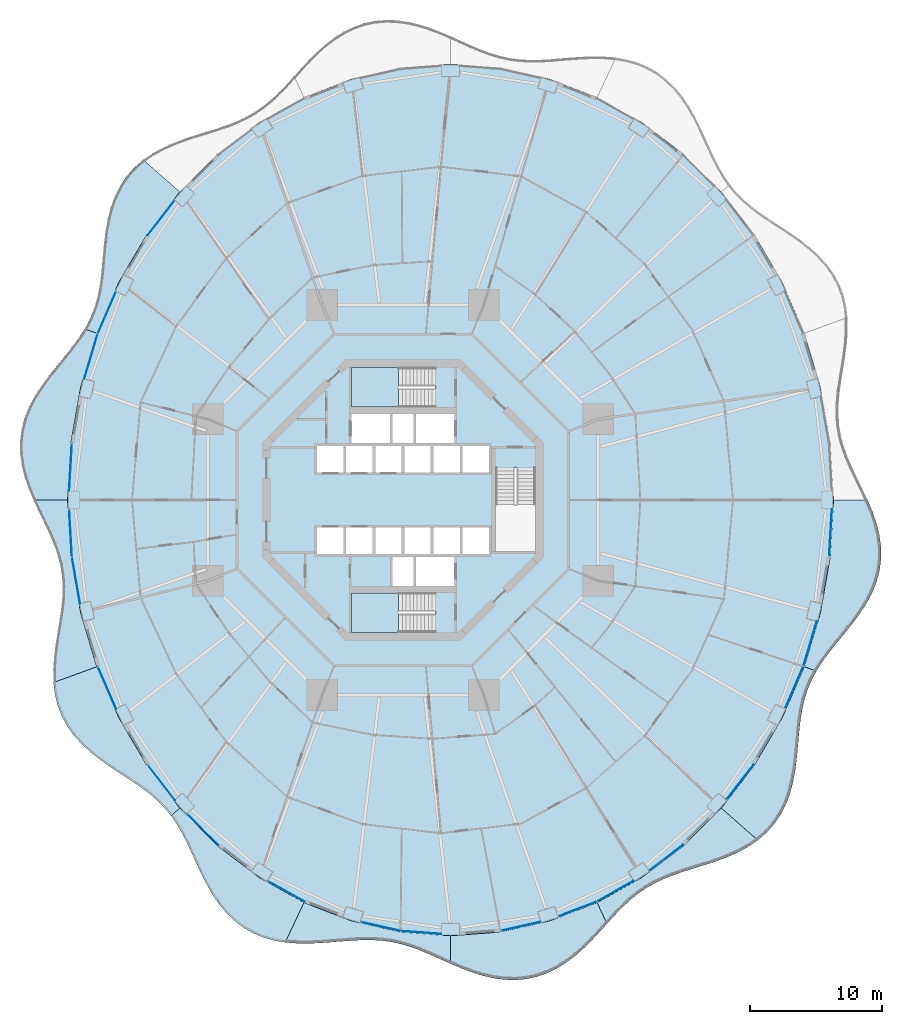
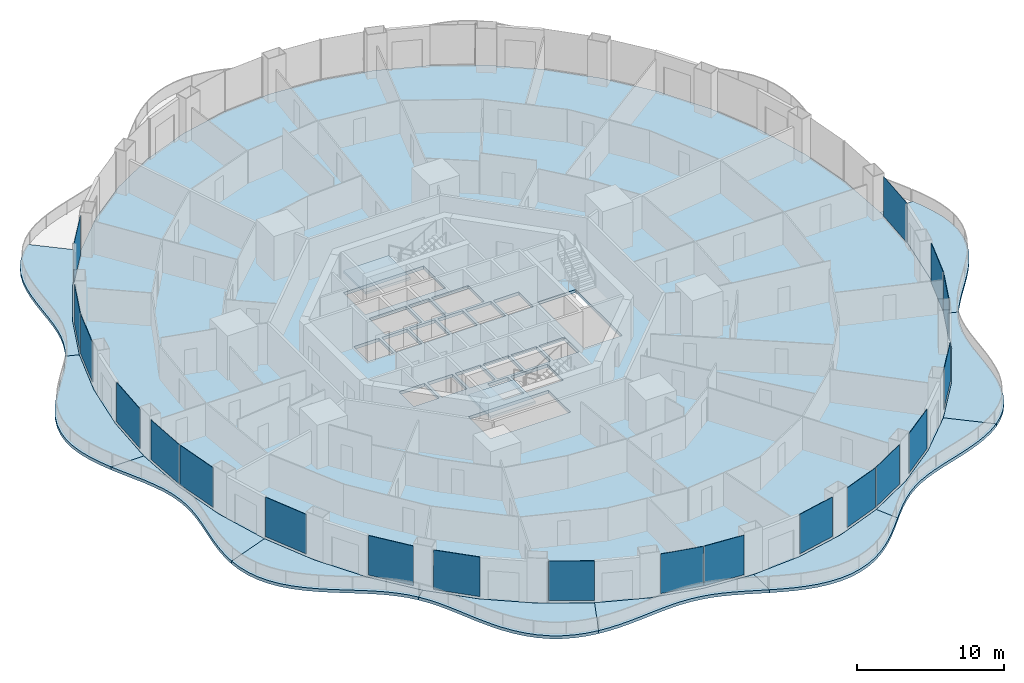
# One storey, part 11 of 21: 20 plates, 13 slabs, 22 elements without a shape of their own.
"""IFC4 building model written with IfcOpenShell, lengths in metres."""

from ifc_helpers import new_model, si_unit, direction, frame, origin, origin_2d, place, context, subcontext, project, spatial, polyline, rectangle, outline, extrude, material, layer, layer_set, type_object, element, aggregate, save


model = new_model("IFC4")

# Units and contexts
model_context = context("Model", 3, precision=1e-05, world=origin(), true_north=direction((0.0, 1.0)))
body_context = subcontext(model_context, "Body", "Model", "MODEL_VIEW")
ifc_project = project(units=[si_unit("LENGTHUNIT", "METRE"), si_unit("AREAUNIT", "SQUARE_METRE"), si_unit("VOLUMEUNIT", "CUBIC_METRE"), si_unit("PLANEANGLEUNIT", "RADIAN"), si_unit("MASSUNIT", "GRAM", prefix="KILO")], contexts=[model_context])

# Site, building, storey
site_placement = place(None, origin())
site = spatial("IfcSite", under=ifc_project, at=site_placement, CompositionType="ELEMENT")
building_placement = place(site_placement, origin())
building = spatial("IfcBuilding", under=site, at=building_placement, Name="Nagisa Residences", CompositionType="ELEMENT")
storey_placement = place(building_placement, frame((0.0, 0.0, 60.300048828125)))
storey = spatial("IfcBuildingStorey", under=building, at=storey_placement, Name="L14", CompositionType="ELEMENT", Elevation=60.300048828125)

# Slabs
ifc_material_1 = material(Name="Concrete C40/50", Category="concrete")
ifc_layer_1 = layer(ifc_material_1, 0.25)
ifc_layer_set_1 = layer_set([ifc_layer_1], Name="BALCONY SLAB 250")
slab_type_1 = type_object("IfcSlabType", Name="BALCONY SLAB 250", PredefinedType="FLOOR", material=ifc_layer_set_1)
slab_1_placement = place(storey_placement, frame((0.0, 0.0, -0.25)))
element("IfcSlab", 1, at=slab_1_placement, inside=storey, type_object=slab_type_1, Name="slab:L14:bal06", PredefinedType="FLOOR", context=body_context, shape_type="SweptSolid", body=[
    extrude(outline(polyline([(-19.671142578125, 25.764404296875), (-20.33837890625, 25.18603515625), (-20.92041015625, 24.532470703125), (-21.411376953125, 23.807861328125), (-21.809326171875, 23.020263671875), (-22.118408203125, 22.180908203125), (-22.347900390625, 21.30322265625), (-22.510986328125, 20.401123046875), (-22.625244140625, 19.4892578125), (-22.7109375, 18.5810546875), (-22.7890625, 17.6884765625), (-22.880859375, 16.8203125), (-23.006103515625, 15.9833984375), (-23.18115234375, 15.180419921875), (-23.418701171875, 14.41162109375), (-23.725830078125, 13.67333984375), (-24.104248046875, 12.96044921875), (-23.192626953125, 12.628662109375), (-21.5146484375, 16.5), (-19.4072265625, 20.089111328125), (-16.906005859375, 23.33447265625), (-19.671142578125, 25.764404296875)])), origin(), (0.0, 0.0, 1.0), 0.25),
])
slab_2_placement = place(storey_placement, frame((0.0, 0.0, -0.25)))
element("IfcSlab", 2, at=slab_2_placement, inside=storey, type_object=slab_type_1, Name="slab:L14:bal07", PredefinedType="FLOOR", context=body_context, shape_type="SweptSolid", body=[
    extrude(outline(polyline([(-24.104248046875, 12.96044921875), (-24.565185546875, 12.243408203125), (-25.086669921875, 11.53564453125), (-25.652587890625, 10.827880859375), (-26.2412109375, 10.1103515625), (-26.828369140625, 9.375244140625), (-27.388671875, 8.61669921875), (-27.896240234375, 7.830810546875), (-28.327880859375, 7.0166015625), (-28.66455078125, 6.17578125), (-28.891845703125, 5.311767578125), (-29.001953125, 4.430419921875), (-28.993408203125, 3.53857421875), (-28.872314453125, 2.64306640625), (-28.651123046875, 1.751220703125), (-28.34765625, 0.86865234375), (-27.984619140625, 0.0), (-25.39990234375, 0.0), (-25.15185546875, 4.307373046875), (-24.411865234375, 8.541015625), (-23.192626953125, 12.628662109375), (-24.104248046875, 12.96044921875)])), origin(), (0.0, 0.0, 1.0), 0.25),
])
slab_3_placement = place(storey_placement, frame((0.0, 0.0, -0.25)))
element("IfcSlab", 3, at=slab_3_placement, inside=storey, type_object=slab_type_1, Name="slab:L14:bal08", PredefinedType="FLOOR", context=body_context, shape_type="SweptSolid", body=[
    extrude(outline(polyline([(-27.984619140625, 0.0), (-27.58740234375, -0.852294921875), (-27.1826171875, -1.688232421875), (-26.7958984375, -2.50927734375), (-26.450439453125, -3.319580078125), (-26.165283203125, -4.124755859375), (-25.953857421875, -4.9306640625), (-25.8232421875, -5.744384765625), (-25.773681640625, -6.572021484375), (-25.79833984375, -7.41845703125), (-25.884521484375, -8.28662109375), (-26.013427734375, -9.177734375), (-26.16259765625, -10.08935546875), (-26.306884765625, -11.017333984375), (-26.421142578125, -11.95458984375), (-26.480224609375, -12.89208984375), (-26.462890625, -13.819091796875), (-23.192626953125, -12.628662109375), (-24.411865234375, -8.541015625), (-25.15185546875, -4.307373046875), (-25.39990234375, 0.0), (-27.984619140625, 0.0)])), origin(), (0.0, 0.0, 1.0), 0.25),
])
slab_4_placement = place(storey_placement, frame((0.0, 0.0, -0.25)))
element("IfcSlab", 4, at=slab_4_placement, inside=storey, type_object=slab_type_1, Name="slab:L14:bal09", PredefinedType="FLOOR", context=body_context, shape_type="SweptSolid", body=[
    extrude(outline(polyline([(-26.462890625, -13.819091796875), (-26.356689453125, -14.697021484375), (-26.151123046875, -15.544677734375), (-25.84130859375, -16.353515625), (-25.427734375, -17.11669921875), (-24.916259765625, -17.829345703125), (-24.318359375, -18.490234375), (-23.649658203125, -19.10107421875), (-22.92919921875, -19.666748046875), (-22.177978515625, -20.19580078125), (-21.4169921875, -20.698974609375), (-20.66650390625, -21.189208984375), (-19.9443359375, -21.679931640625), (-19.26513671875, -22.185546875), (-18.638916015625, -22.71875), (-18.070556640625, -23.290771484375), (-17.559814453125, -23.9091796875), (-16.906005859375, -23.33447265625), (-19.4072265625, -20.089111328125), (-21.5146484375, -16.5), (-23.192626953125, -12.628662109375), (-26.462890625, -13.819091796875)])), origin(), (0.0, 0.0, 1.0), 0.25),
])
slab_5_placement = place(storey_placement, frame((0.0, 0.0, -0.25)))
element("IfcSlab", 5, at=slab_5_placement, inside=storey, type_object=slab_type_1, Name="slab:L14:bal10", PredefinedType="FLOOR", context=body_context, shape_type="SweptSolid", body=[
    extrude(outline(polyline([(-17.559814453125, -23.9091796875), (-17.122314453125, -24.545654296875), (-16.724609375, -25.228271484375), (-16.35546875, -25.953369140625), (-16.001220703125, -26.71337890625), (-15.647216796875, -27.4970703125), (-15.278564453125, -28.291259765625), (-14.880859375, -29.079833984375), (-14.44189453125, -29.845703125), (-13.951171875, -30.571533203125), (-13.402099609375, -31.240966796875), (-12.791259765625, -31.83935546875), (-12.1181640625, -32.355224609375), (-11.38671875, -32.780517578125), (-10.603271484375, -33.11181640625), (-9.776611328125, -33.349853515625), (-8.917724609375, -33.500244140625), (-7.497802734375, -30.488037109375), (-10.89990234375, -28.578857421875), (-14.05419921875, -26.1806640625), (-16.906005859375, -23.33447265625), (-17.559814453125, -23.9091796875)])), origin(), (0.0, 0.0, 1.0), 0.25),
])
slab_6_placement = place(storey_placement, frame((0.0, 0.0, -0.25)))
element("IfcSlab", 6, at=slab_6_placement, inside=storey, type_object=slab_type_1, Name="slab:L14:bal11", PredefinedType="FLOOR", context=body_context, shape_type="SweptSolid", body=[
    extrude(outline(polyline([(-8.917724609375, -33.500244140625), (-8.06982421875, -33.572021484375), (-7.212890625, -33.584228515625), (-6.3564453125, -33.55224609375), (-5.50927734375, -33.49267578125), (-4.677490234375, -33.423095703125), (-3.865478515625, -33.361572265625), (-3.07568359375, -33.32373046875), (-2.307373046875, -33.32373046875), (-1.55810546875, -33.37255859375), (-0.823974609375, -33.47705078125), (-0.098876953125, -33.6396484375), (0.623046875, -33.858642578125), (1.3486328125, -34.1279296875), (2.083740234375, -34.436767578125), (2.8330078125, -34.771484375), (3.60009765625, -35.115234375), (3.60009765625, -33.0), (-0.185302734375, -32.7177734375), (-3.90576171875, -31.87548828125), (-7.497802734375, -30.488037109375), (-8.917724609375, -33.500244140625)])), origin(), (0.0, 0.0, 1.0), 0.25),
])
slab_7_placement = place(storey_placement, frame((0.0, 0.0, -0.25)))
element("IfcSlab", 7, at=slab_7_placement, inside=storey, type_object=slab_type_1, Name="slab:L14:bal12", PredefinedType="FLOOR", context=body_context, shape_type="SweptSolid", body=[
    extrude(outline(polyline([(3.60009765625, -35.115234375), (4.385986328125, -35.44970703125), (5.190673828125, -35.755615234375), (6.0107421875, -36.014404296875), (6.842041015625, -36.20849609375), (7.67822265625, -36.32373046875), (8.51171875, -36.3486328125), (9.334716796875, -36.275634765625), (10.1396484375, -36.1025390625), (10.91943359375, -35.83056640625), (11.668212890625, -35.4658203125), (12.3818359375, -35.018798828125), (13.05908203125, -34.5029296875), (13.700439453125, -33.933837890625), (14.30908203125, -33.32958984375), (14.890380859375, -32.70849609375), (15.451904296875, -32.087890625), (14.69775390625, -30.488037109375), (11.105712890625, -31.87548828125), (7.38525390625, -32.7177734375), (3.60009765625, -33.0), (3.60009765625, -35.115234375)])), origin(), (0.0, 0.0, 1.0), 0.25),
])
slab_8_placement = place(storey_placement, frame((0.0, 0.0, -0.25)))
element("IfcSlab", 8, at=slab_8_placement, inside=storey, type_object=slab_type_1, Name="slab:L14:bal13", PredefinedType="FLOOR", context=body_context, shape_type="SweptSolid", body=[
    extrude(outline(polyline([(15.451904296875, -32.087890625), (16.023193359375, -31.462158203125), (16.59375, -30.870361328125), (17.174560546875, -30.323974609375), (17.776123046875, -29.83056640625), (18.4072265625, -29.393798828125), (19.07421875, -29.011962890625), (19.780517578125, -28.678955078125), (20.526123046875, -28.3857421875), (21.307373046875, -28.11962890625), (22.11767578125, -27.86572265625), (22.9462890625, -27.608154296875), (23.780517578125, -27.331298828125), (24.605712890625, -27.020263671875), (25.406005859375, -26.66162109375), (26.166015625, -26.24560546875), (26.871337890625, -25.764404296875), (24.106201171875, -23.33447265625), (21.254150390625, -26.1806640625), (18.10009765625, -28.578857421875), (14.69775390625, -30.488037109375), (15.451904296875, -32.087890625)])), origin(), (0.0, 0.0, 1.0), 0.25),
])
slab_9_placement = place(storey_placement, frame((0.0, 0.0, -0.25)))
element("IfcSlab", 9, at=slab_9_placement, inside=storey, type_object=slab_type_1, Name="slab:L14:bal14", PredefinedType="FLOOR", context=body_context, shape_type="SweptSolid", body=[
    extrude(outline(polyline([(26.871337890625, -25.764404296875), (27.538330078125, -25.18603515625), (28.12060546875, -24.532470703125), (28.611328125, -23.807861328125), (29.00927734375, -23.020263671875), (29.318603515625, -22.180908203125), (29.5478515625, -21.30322265625), (29.7109375, -20.401123046875), (29.825439453125, -19.4892578125), (29.910888671875, -18.5810546875), (29.989013671875, -17.6884765625), (30.0810546875, -16.8203125), (30.2060546875, -15.9833984375), (30.38134765625, -15.180419921875), (30.61865234375, -14.41162109375), (30.92578125, -13.67333984375), (31.30419921875, -12.96044921875), (30.392578125, -12.628662109375), (28.71484375, -16.5), (26.607177734375, -20.089111328125), (24.106201171875, -23.33447265625), (26.871337890625, -25.764404296875)])), origin(), (0.0, 0.0, 1.0), 0.25),
])
slab_10_placement = place(storey_placement, frame((0.0, 0.0, -0.25)))
element("IfcSlab", 10, at=slab_10_placement, inside=storey, type_object=slab_type_1, Name="slab:L14:bal15", PredefinedType="FLOOR", context=body_context, shape_type="SweptSolid", body=[
    extrude(outline(polyline([(31.30419921875, -12.96044921875), (31.76513671875, -12.243408203125), (32.286865234375, -11.53564453125), (32.8525390625, -10.827880859375), (33.441162109375, -10.1103515625), (34.0283203125, -9.375244140625), (34.588623046875, -8.61669921875), (35.09619140625, -7.830810546875), (35.528076171875, -7.0166015625), (35.86474609375, -6.17578125), (36.092041015625, -5.311767578125), (36.201904296875, -4.430419921875), (36.193359375, -3.53857421875), (36.072265625, -2.64306640625), (35.85107421875, -1.751220703125), (35.547607421875, -0.86865234375), (35.1845703125, 0.0), (32.60009765625, 0.0), (32.351806640625, -4.307373046875), (31.61181640625, -8.541015625), (30.392578125, -12.628662109375), (31.30419921875, -12.96044921875)])), origin(), (0.0, 0.0, 1.0), 0.25),
])

# Curtain wall, plate
ifc_material_2 = material(Name="Concrete-coloured aluminium curtain wall system", Category="concrete")
ifc_layer_2 = layer(ifc_material_2, 0.159912109375)
ifc_layer_set_2 = layer_set([ifc_layer_2], Name="CW1 CURTAIN WALL")
curtain_wall_type = type_object("IfcCurtainWallType", Name="CW1 CURTAIN WALL", PredefinedType="NOTDEFINED", material=ifc_layer_set_2)
curtain_wall_1_placement = place(storey_placement, origin())
curtain_wall_1 = element("IfcCurtainWall", 11, at=curtain_wall_1_placement, inside=storey, type_object=curtain_wall_type, Name="cw:CW1:L14:18", PredefinedType="NOTDEFINED")
ifc_material_3 = material(Name="Clear laminated glass", Category="glass")
ifc_layer_3 = layer(ifc_material_3, 0.028076171875)
ifc_layer_set_3 = layer_set([ifc_layer_3], Name="CW1 GLASS PANEL")
plate_type = type_object("IfcPlateType", Name="CW1 GLASS PANEL", PredefinedType="CURTAIN_PANEL", material=ifc_layer_set_3)
plate_1_placement = place(storey_placement, frame((-18.3251953125, 21.362060546875, 0.14990234375), z_axis=(0.0, 0.0, 1.0), x_axis=(-0.610429828235, -0.792070340816, 0.0)))
plate_1 = element("IfcPlate", 12, at=plate_1_placement, type_object=plate_type, Name="CW1 panel", PredefinedType="CURTAIN_PANEL", context=body_context, shape_type="SweptSolid", body=[
    extrude(rectangle(XDim=3.33740234375, YDim=0.028076171875, at=origin_2d()), origin(), (0.0, 0.0, 1.0), 3.2900390625),
])
aggregate(curtain_wall_1, [plate_1])

curtain_wall_2_placement = place(storey_placement, origin())
curtain_wall_2 = element("IfcCurtainWall", 13, at=curtain_wall_2_placement, inside=storey, type_object=curtain_wall_type, Name="cw:CW1:L14:20", PredefinedType="NOTDEFINED")
plate_2_placement = place(storey_placement, frame((-22.431396484375, 14.183837890625, 0.14990234375), z_axis=(0.0, 0.0, 1.0), x_axis=(-0.397635934147, -0.917543276295, 0.0)))
plate_2 = element("IfcPlate", 14, at=plate_2_placement, type_object=plate_type, Name="CW1 panel", PredefinedType="CURTAIN_PANEL", context=body_context, shape_type="SweptSolid", body=[
    extrude(rectangle(XDim=3.45947265625, YDim=0.028076171875, at=origin_2d()), origin(), (0.0, 0.0, 1.0), 3.2900390625),
])
aggregate(curtain_wall_2, [plate_2])

curtain_wall_3_placement = place(storey_placement, origin())
curtain_wall_3 = element("IfcCurtainWall", 15, at=curtain_wall_3_placement, inside=storey, type_object=curtain_wall_type, Name="cw:CW1:L14:21", PredefinedType="NOTDEFINED")
plate_3_placement = place(storey_placement, frame((-23.634033203125, 10.86865234375, 0.14990234375), z_axis=(0.0, 0.0, 1.0), x_axis=(-0.285860274038, -0.958271310082, 0.0)))
plate_3 = element("IfcPlate", 16, at=plate_3_placement, type_object=plate_type, Name="CW1 panel", PredefinedType="CURTAIN_PANEL", context=body_context, shape_type="SweptSolid", body=[
    extrude(rectangle(XDim=3.505615234375, YDim=0.028076171875, at=origin_2d()), origin(), (0.0, 0.0, 1.0), 3.2900390625),
])
aggregate(curtain_wall_3, [plate_3])

curtain_wall_4_placement = place(storey_placement, origin())
curtain_wall_4 = element("IfcCurtainWall", 17, at=curtain_wall_4_placement, inside=storey, type_object=curtain_wall_type, Name="cw:CW1:L14:23", PredefinedType="NOTDEFINED")
plate_4_placement = place(storey_placement, frame((-25.177734375, 2.468505859375, 0.14990234375), z_axis=(0.0, 0.0, 1.0), x_axis=(-0.057503492216, -0.998345305184, 0.0)))
plate_4 = element("IfcPlate", 18, at=plate_4_placement, type_object=plate_type, Name="CW1 panel", PredefinedType="CURTAIN_PANEL", context=body_context, shape_type="SweptSolid", body=[
    extrude(rectangle(XDim=3.554443359375, YDim=0.028076171875, at=origin_2d()), origin(), (0.0, 0.0, 1.0), 3.2900390625),
])
aggregate(curtain_wall_4, [plate_4])

curtain_wall_5_placement = place(storey_placement, origin())
curtain_wall_5 = element("IfcCurtainWall", 19, at=curtain_wall_5_placement, inside=storey, type_object=curtain_wall_type, Name="cw:CW1:L14:24", PredefinedType="NOTDEFINED")
plate_5_placement = place(storey_placement, frame((-25.17431640625, -2.528564453125, 0.14990234375), z_axis=(0.0, 0.0, 1.0), x_axis=(0.057503492216, -0.998345305184, 0.0)))
plate_5 = element("IfcPlate", 20, at=plate_5_placement, type_object=plate_type, Name="CW1 panel", PredefinedType="CURTAIN_PANEL", context=body_context, shape_type="SweptSolid", body=[
    extrude(rectangle(XDim=3.554443359375, YDim=0.028076171875, at=origin_2d()), origin(), (0.0, 0.0, 1.0), 3.2900390625),
])
aggregate(curtain_wall_5, [plate_5])

curtain_wall_6_placement = place(storey_placement, origin())
curtain_wall_6 = element("IfcCurtainWall", 21, at=curtain_wall_6_placement, inside=storey, type_object=curtain_wall_type, Name="cw:CW1:L14:25", PredefinedType="NOTDEFINED")
plate_6_placement = place(storey_placement, frame((-24.758056640625, -6.09521484375, 0.14990234375), z_axis=(0.0, 0.0, 1.0), x_axis=(0.172190868898, -0.985063604377, 0.0)))
plate_6 = element("IfcPlate", 22, at=plate_6_placement, type_object=plate_type, Name="CW1 panel", PredefinedType="CURTAIN_PANEL", context=body_context, shape_type="SweptSolid", body=[
    extrude(rectangle(XDim=3.537841796875, YDim=0.028076171875, at=origin_2d()), origin(), (0.0, 0.0, 1.0), 3.2900390625),
])
aggregate(curtain_wall_6, [plate_6])

curtain_wall_7_placement = place(storey_placement, origin())
curtain_wall_7 = element("IfcCurtainWall", 23, at=curtain_wall_7_placement, inside=storey, type_object=curtain_wall_type, Name="cw:CW1:L14:27", PredefinedType="NOTDEFINED")
plate_7_placement = place(storey_placement, frame((-22.407470703125, -14.23876953125, 0.14990234375), z_axis=(0.0, 0.0, 1.0), x_axis=(0.397635934147, -0.917543276295, 0.0)))
plate_7 = element("IfcPlate", 24, at=plate_7_placement, type_object=plate_type, Name="CW1 panel", PredefinedType="CURTAIN_PANEL", context=body_context, shape_type="SweptSolid", body=[
    extrude(rectangle(XDim=3.45947265625, YDim=0.028076171875, at=origin_2d()), origin(), (0.0, 0.0, 1.0), 3.2900390625),
])
aggregate(curtain_wall_7, [plate_7])

curtain_wall_8_placement = place(storey_placement, origin())
curtain_wall_8 = element("IfcCurtainWall", 25, at=curtain_wall_8_placement, inside=storey, type_object=curtain_wall_type, Name="cw:CW1:L14:29", PredefinedType="NOTDEFINED")
plate_8_placement = place(storey_placement, frame((-18.28857421875, -21.409423828125, 0.14990234375), z_axis=(0.0, 0.0, 1.0), x_axis=(0.610429828235, -0.792070340816, 0.0)))
plate_8 = element("IfcPlate", 26, at=plate_8_placement, type_object=plate_type, Name="CW1 panel", PredefinedType="CURTAIN_PANEL", context=body_context, shape_type="SweptSolid", body=[
    extrude(rectangle(XDim=3.33740234375, YDim=0.028076171875, at=origin_2d()), origin(), (0.0, 0.0, 1.0), 3.2900390625),
])
aggregate(curtain_wall_8, [plate_8])

curtain_wall_9_placement = place(storey_placement, origin())
curtain_wall_9 = element("IfcCurtainWall", 27, at=curtain_wall_9_placement, inside=storey, type_object=curtain_wall_type, Name="cw:CW1:L14:30", PredefinedType="NOTDEFINED")
plate_9_placement = place(storey_placement, frame((-15.154541015625, -24.969482421875, 0.14990234375), z_axis=(0.0, 0.0, 1.0), x_axis=(0.707835924016, -0.706376885714, 0.0)))
plate_9 = element("IfcPlate", 28, at=plate_9_placement, type_object=plate_type, Name="CW1 panel", PredefinedType="CURTAIN_PANEL", context=body_context, shape_type="SweptSolid", body=[
    extrude(rectangle(XDim=3.269287109375, YDim=0.028076171875, at=origin_2d()), origin(), (0.0, 0.0, 1.0), 3.2900390625),
])
aggregate(curtain_wall_9, [plate_9])

curtain_wall_10_placement = place(storey_placement, origin())
curtain_wall_10 = element("IfcCurtainWall", 29, at=curtain_wall_10_placement, inside=storey, type_object=curtain_wall_type, Name="cw:CW1:L14:32", PredefinedType="NOTDEFINED")
plate_10_placement = place(storey_placement, frame((-8.828369140625, -29.649658203125, 0.14990234375), z_axis=(0.0, 0.0, 1.0), x_axis=(0.872072377523, -0.489376918501, 0.0)))
plate_10 = element("IfcPlate", 30, at=plate_10_placement, type_object=plate_type, Name="CW1 panel", PredefinedType="CURTAIN_PANEL", context=body_context, shape_type="SweptSolid", body=[
    extrude(rectangle(XDim=3.141357421875, YDim=0.028076171875, at=origin_2d()), origin(), (0.0, 0.0, 1.0), 3.2900390625),
])
aggregate(curtain_wall_10, [plate_10])

curtain_wall_11_placement = place(storey_placement, origin())
curtain_wall_11 = element("IfcCurtainWall", 31, at=curtain_wall_11_placement, inside=storey, type_object=curtain_wall_type, Name="cw:CW1:L14:34", PredefinedType="NOTDEFINED")
plate_11_placement = place(storey_placement, frame((-1.6572265625, -32.302490234375, 0.14990234375), z_axis=(0.0, 0.0, 1.0), x_axis=(0.975327274089, -0.2207639201, 0.0)))
plate_11 = element("IfcPlate", 32, at=plate_11_placement, type_object=plate_type, Name="CW1 panel", PredefinedType="CURTAIN_PANEL", context=body_context, shape_type="SweptSolid", body=[
    extrude(rectangle(XDim=3.0546875, YDim=0.028076171875, at=origin_2d()), origin(), (0.0, 0.0, 1.0), 3.2900390625),
])
aggregate(curtain_wall_11, [plate_11])

curtain_wall_12_placement = place(storey_placement, origin())
curtain_wall_12 = element("IfcCurtainWall", 33, at=curtain_wall_12_placement, inside=storey, type_object=curtain_wall_type, Name="cw:CW1:L14:35", PredefinedType="NOTDEFINED")
plate_12_placement = place(storey_placement, frame((1.394287109375, -32.75537109375, 0.14990234375), z_axis=(0.0, 0.0, 1.0), x_axis=(0.997230168512, -0.074377355493, 0.0)))
plate_12 = element("IfcPlate", 34, at=plate_12_placement, type_object=plate_type, Name="CW1 panel", PredefinedType="CURTAIN_PANEL", context=body_context, shape_type="SweptSolid", body=[
    extrude(rectangle(XDim=3.035888671875, YDim=0.028076171875, at=origin_2d()), origin(), (0.0, 0.0, 1.0), 3.2900390625),
])
aggregate(curtain_wall_12, [plate_12])

curtain_wall_13_placement = place(storey_placement, origin())
curtain_wall_13 = element("IfcCurtainWall", 35, at=curtain_wall_13_placement, inside=storey, type_object=curtain_wall_type, Name="cw:CW1:L14:37", PredefinedType="NOTDEFINED")
plate_13_placement = place(storey_placement, frame((8.915771484375, -32.289306640625, 0.14990234375), z_axis=(0.0, 0.0, 1.0), x_axis=(0.975327274089, 0.2207639201, 0.0)))
plate_13 = element("IfcPlate", 36, at=plate_13_placement, type_object=plate_type, Name="CW1 panel", PredefinedType="CURTAIN_PANEL", context=body_context, shape_type="SweptSolid", body=[
    extrude(rectangle(XDim=3.0546875, YDim=0.028076171875, at=origin_2d()), origin(), (0.0, 0.0, 1.0), 3.2900390625),
])
aggregate(curtain_wall_13, [plate_13])

curtain_wall_14_placement = place(storey_placement, origin())
curtain_wall_14 = element("IfcCurtainWall", 37, at=curtain_wall_14_placement, inside=storey, type_object=curtain_wall_type, Name="cw:CW1:L14:38", PredefinedType="NOTDEFINED")
plate_14_placement = place(storey_placement, frame((13.2275390625, -30.97021484375, 0.14990234375), z_axis=(0.0, 0.0, 1.0), x_axis=(0.932825759707, 0.360327770268, 0.0)))
plate_14 = element("IfcPlate", 38, at=plate_14_placement, type_object=plate_type, Name="CW1 panel", PredefinedType="CURTAIN_PANEL", context=body_context, shape_type="SweptSolid", body=[
    extrude(rectangle(XDim=3.0908203125, YDim=0.028076171875, at=origin_2d()), origin(), (0.0, 0.0, 1.0), 3.2900390625),
])
aggregate(curtain_wall_14, [plate_14])

curtain_wall_15_placement = place(storey_placement, origin())
curtain_wall_15 = element("IfcCurtainWall", 39, at=curtain_wall_15_placement, inside=storey, type_object=curtain_wall_type, Name="cw:CW1:L14:39", PredefinedType="NOTDEFINED")
plate_15_placement = place(storey_placement, frame((16.080810546875, -29.620361328125, 0.14990234375), z_axis=(0.0, 0.0, 1.0), x_axis=(0.872072377523, 0.489376918501, 0.0)))
plate_15 = element("IfcPlate", 40, at=plate_15_placement, type_object=plate_type, Name="CW1 panel", PredefinedType="CURTAIN_PANEL", context=body_context, shape_type="SweptSolid", body=[
    extrude(rectangle(XDim=3.141357421875, YDim=0.028076171875, at=origin_2d()), origin(), (0.0, 0.0, 1.0), 3.2900390625),
])
aggregate(curtain_wall_15, [plate_15])

curtain_wall_16_placement = place(storey_placement, origin())
curtain_wall_16 = element("IfcCurtainWall", 41, at=curtain_wall_16_placement, inside=storey, type_object=curtain_wall_type, Name="cw:CW1:L14:40", PredefinedType="NOTDEFINED")
plate_16_placement = place(storey_placement, frame((19.93115234375, -27.086181640625, 0.14990234375), z_axis=(0.0, 0.0, 1.0), x_axis=(0.79603132756, 0.605255421737, 0.0)))
plate_16 = element("IfcPlate", 42, at=plate_16_placement, type_object=plate_type, Name="CW1 panel", PredefinedType="CURTAIN_PANEL", context=body_context, shape_type="SweptSolid", body=[
    extrude(rectangle(XDim=3.2021484375, YDim=0.028076171875, at=origin_2d()), origin(), (0.0, 0.0, 1.0), 3.2900390625),
])
aggregate(curtain_wall_16, [plate_16])

curtain_wall_17_placement = place(storey_placement, origin())
curtain_wall_17 = element("IfcCurtainWall", 43, at=curtain_wall_17_placement, inside=storey, type_object=curtain_wall_type, Name="cw:CW1:L14:42", PredefinedType="NOTDEFINED")
plate_17_placement = place(storey_placement, frame((25.525390625, -21.362060546875, 0.14990234375), z_axis=(0.0, 0.0, 1.0), x_axis=(0.610429828235, 0.792070340816, 0.0)))
plate_17 = element("IfcPlate", 44, at=plate_17_placement, type_object=plate_type, Name="CW1 panel", PredefinedType="CURTAIN_PANEL", context=body_context, shape_type="SweptSolid", body=[
    extrude(rectangle(XDim=3.33740234375, YDim=0.028076171875, at=origin_2d()), origin(), (0.0, 0.0, 1.0), 3.2900390625),
])
aggregate(curtain_wall_17, [plate_17])

curtain_wall_18_placement = place(storey_placement, origin())
curtain_wall_18 = element("IfcCurtainWall", 45, at=curtain_wall_18_placement, inside=storey, type_object=curtain_wall_type, Name="cw:CW1:L14:44", PredefinedType="NOTDEFINED")
plate_18_placement = place(storey_placement, frame((29.63134765625, -14.183837890625, 0.14990234375), z_axis=(0.0, 0.0, 1.0), x_axis=(0.397635934147, 0.917543276295, 0.0)))
plate_18 = element("IfcPlate", 46, at=plate_18_placement, type_object=plate_type, Name="CW1 panel", PredefinedType="CURTAIN_PANEL", context=body_context, shape_type="SweptSolid", body=[
    extrude(rectangle(XDim=3.45947265625, YDim=0.028076171875, at=origin_2d()), origin(), (0.0, 0.0, 1.0), 3.2900390625),
])
aggregate(curtain_wall_18, [plate_18])

curtain_wall_19_placement = place(storey_placement, origin())
curtain_wall_19 = element("IfcCurtainWall", 47, at=curtain_wall_19_placement, inside=storey, type_object=curtain_wall_type, Name="cw:CW1:L14:45", PredefinedType="NOTDEFINED")
plate_19_placement = place(storey_placement, frame((30.833984375, -10.86865234375, 0.14990234375), z_axis=(0.0, 0.0, 1.0), x_axis=(0.285860274038, 0.958271310082, 0.0)))
plate_19 = element("IfcPlate", 48, at=plate_19_placement, type_object=plate_type, Name="CW1 panel", PredefinedType="CURTAIN_PANEL", context=body_context, shape_type="SweptSolid", body=[
    extrude(rectangle(XDim=3.505615234375, YDim=0.028076171875, at=origin_2d()), origin(), (0.0, 0.0, 1.0), 3.2900390625),
])
aggregate(curtain_wall_19, [plate_19])

curtain_wall_20_placement = place(storey_placement, origin())
curtain_wall_20 = element("IfcCurtainWall", 49, at=curtain_wall_20_placement, inside=storey, type_object=curtain_wall_type, Name="cw:CW1:L14:47", PredefinedType="NOTDEFINED")
plate_20_placement = place(storey_placement, frame((32.377685546875, -2.468505859375, 0.14990234375), z_axis=(0.0, 0.0, 1.0), x_axis=(0.057503492216, 0.998345305184, 0.0)))
plate_20 = element("IfcPlate", 50, at=plate_20_placement, type_object=plate_type, Name="CW1 panel", PredefinedType="CURTAIN_PANEL", context=body_context, shape_type="SweptSolid", body=[
    extrude(rectangle(XDim=3.554443359375, YDim=0.028076171875, at=origin_2d()), origin(), (0.0, 0.0, 1.0), 3.2900390625),
])
aggregate(curtain_wall_20, [plate_20])

# Slab
ifc_material_4 = material(Name="Concrete C40", Category="concrete")
ifc_layer_4 = layer(ifc_material_4, 0.260009765625)
ifc_layer_set_4 = layer_set([ifc_layer_4], Name="Floor slab 260")
slab_type_2 = type_object("IfcSlabType", Name="Floor slab 260", PredefinedType="FLOOR", material=ifc_layer_set_4)
slab_11_placement = place(storey_placement, frame((0.0, 0.0, -0.260009765625)))
element("IfcSlab", 51, at=slab_11_placement, inside=storey, type_object=slab_type_2, Name="slab:L14:floor", PredefinedType="FLOOR", context=body_context, shape_type="SweptSolid", body=[
    extrude(outline(polyline([(32.60009765625, 0.0), (32.351806640625, 4.307373046875), (31.61181640625, 8.541015625), (30.392578125, 12.628662109375), (28.71484375, 16.5), (26.607177734375, 20.089111328125), (24.106201171875, 23.33447265625), (21.254150390625, 26.1806640625), (18.10009765625, 28.578857421875), (14.69775390625, 30.488037109375), (11.105712890625, 31.87548828125), (7.38525390625, 32.7177734375), (3.60009765625, 33.0), (-0.185302734375, 32.7177734375), (-3.90576171875, 31.87548828125), (-7.497802734375, 30.488037109375), (-10.89990234375, 28.578857421875), (-14.05419921875, 26.1806640625), (-16.906005859375, 23.33447265625), (-19.4072265625, 20.089111328125), (-21.5146484375, 16.5), (-23.192626953125, 12.628662109375), (-24.411865234375, 8.541015625), (-25.15185546875, 4.307373046875), (-25.39990234375, 0.0), (-25.15185546875, -4.307373046875), (-24.411865234375, -8.541015625), (-23.192626953125, -12.628662109375), (-21.5146484375, -16.5), (-19.4072265625, -20.089111328125), (-16.906005859375, -23.33447265625), (-14.05419921875, -26.1806640625), (-10.89990234375, -28.578857421875), (-7.497802734375, -30.488037109375), (-3.90576171875, -31.87548828125), (-0.185302734375, -32.7177734375), (3.60009765625, -33.0), (7.38525390625, -32.7177734375), (11.105712890625, -31.87548828125), (14.69775390625, -30.488037109375), (18.10009765625, -28.578857421875), (21.254150390625, -26.1806640625), (24.106201171875, -23.33447265625), (26.607177734375, -20.089111328125), (28.71484375, -16.5), (30.392578125, -12.628662109375), (31.61181640625, -8.541015625), (32.351806640625, -4.307373046875), (32.60009765625, 0.0)]), holes=[polyline([(-4.5, 2.10009765625), (-4.5, 4.10009765625), (-6.5, 4.10009765625), (-6.5, 2.10009765625), (-4.5, 2.10009765625)]), polyline([(-2.300048828125, 2.10009765625), (-2.300048828125, 4.10009765625), (-4.300048828125, 4.10009765625), (-4.300048828125, 2.10009765625), (-2.300048828125, 2.10009765625)]), polyline([(-0.10009765625, 2.10009765625), (-0.10009765625, 4.10009765625), (-2.10009765625, 4.10009765625), (-2.10009765625, 2.10009765625), (-0.10009765625, 2.10009765625)]), polyline([(2.10009765625, 2.10009765625), (2.10009765625, 4.10009765625), (0.10009765625, 4.10009765625), (0.10009765625, 2.10009765625), (2.10009765625, 2.10009765625)]), polyline([(4.300048828125, 2.10009765625), (4.300048828125, 4.10009765625), (2.300048828125, 4.10009765625), (2.300048828125, 2.10009765625), (4.300048828125, 2.10009765625)]), polyline([(6.5, 2.10009765625), (6.5, 4.10009765625), (4.5, 4.10009765625), (4.5, 2.10009765625), (6.5, 2.10009765625)]), polyline([(-4.5, -4.10009765625), (-4.5, -2.10009765625), (-6.5, -2.10009765625), (-6.5, -4.10009765625), (-4.5, -4.10009765625)]), polyline([(-2.300048828125, -4.10009765625), (-2.300048828125, -2.10009765625), (-4.300048828125, -2.10009765625), (-4.300048828125, -4.10009765625), (-2.300048828125, -4.10009765625)]), polyline([(-0.10009765625, -4.10009765625), (-0.10009765625, -2.10009765625), (-2.10009765625, -2.10009765625), (-2.10009765625, -4.10009765625), (-0.10009765625, -4.10009765625)]), polyline([(2.10009765625, -4.10009765625), (2.10009765625, -2.10009765625), (0.10009765625, -2.10009765625), (0.10009765625, -4.10009765625), (2.10009765625, -4.10009765625)]), polyline([(4.300048828125, -4.10009765625), (4.300048828125, -2.10009765625), (2.300048828125, -2.10009765625), (2.300048828125, -4.10009765625), (4.300048828125, -4.10009765625)]), polyline([(6.5, -4.10009765625), (6.5, -2.10009765625), (4.5, -2.10009765625), (4.5, -4.10009765625), (6.5, -4.10009765625)]), polyline([(3.89990234375, 4.300048828125), (3.89990234375, 6.5), (1.0, 6.5), (1.0, 4.300048828125), (3.89990234375, 4.300048828125)]), polyline([(3.89990234375, -6.5), (3.89990234375, -4.300048828125), (1.0, -4.300048828125), (1.0, -6.5), (3.89990234375, -6.5)]), polyline([(-1.0, 4.300048828125), (-1.0, 6.5), (-3.89990234375, 6.5), (-3.89990234375, 4.300048828125), (-1.0, 4.300048828125)]), polyline([(0.800048828125, 4.300048828125), (0.800048828125, 6.5), (-0.800048828125, 6.5), (-0.800048828125, 4.300048828125), (0.800048828125, 4.300048828125)]), polyline([(0.800048828125, -6.5), (0.800048828125, -4.300048828125), (-0.800048828125, -4.300048828125), (-0.800048828125, -6.5), (0.800048828125, -6.5)]), polyline([(10.024658203125, -3.89990234375), (7.024658203125, -3.89990234375), (7.024658203125, 2.425048828125), (10.024658203125, 2.425048828125), (10.024658203125, -3.89990234375)]), polyline([(-3.89990234375, 7.024658203125), (-3.89990234375, 10.024658203125), (2.425048828125, 10.024658203125), (2.425048828125, 7.024658203125), (-3.89990234375, 7.024658203125)]), polyline([(-3.89990234375, -10.024658203125), (-3.89990234375, -7.024658203125), (2.425048828125, -7.024658203125), (2.425048828125, -10.024658203125), (-3.89990234375, -10.024658203125)])]), origin(), (0.0, 0.0, 1.0), 0.260009765625),
])

# Stair, slab
ifc_material_5 = material(Name="Concrete C60", Category="concrete")
stair_type = type_object("IfcStairType", Name="Exit stair", PredefinedType="HALF_TURN_STAIR", material=ifc_material_5)
stair_1_placement = place(storey_placement, origin())
stair_1 = element("IfcStair", 52, at=stair_1_placement, inside=storey, type_object=stair_type, Name="L14 Exit stair N", PredefinedType="HALF_TURN_STAIR")
ifc_material_6 = material(Name="Concrete C60", Category="concrete")
ifc_layer_5 = layer(ifc_material_6, 0.199951171875)
ifc_layer_set_5 = layer_set([ifc_layer_5], Name="Stair landing")
slab_type_3 = type_object("IfcSlabType", Name="Stair landing", PredefinedType="LANDING", material=ifc_layer_set_5)
slab_12_placement = place(storey_placement, frame((0.0, 0.0, 1.64990234375)))
slab_12 = element("IfcSlab", 53, at=slab_12_placement, type_object=slab_type_3, Name="ST-N landing 1", PredefinedType="LANDING", context=body_context, shape_type="SweptSolid", body=[
    extrude(outline(polyline([(-0.324951171875, 10.024658203125), (-3.89990234375, 10.024658203125), (-3.89990234375, 7.024658203125), (-0.324951171875, 7.024658203125), (-0.324951171875, 10.024658203125)])), origin(), (0.0, 0.0, 1.0), 0.199951171875),
])
aggregate(stair_1, [slab_12])

stair_2_placement = place(storey_placement, origin())
stair_2 = element("IfcStair", 54, at=stair_2_placement, inside=storey, type_object=stair_type, Name="L14 Exit stair S", PredefinedType="HALF_TURN_STAIR")
slab_13_placement = place(storey_placement, frame((0.0, 0.0, 1.64990234375)))
slab_13 = element("IfcSlab", 55, at=slab_13_placement, type_object=slab_type_3, Name="ST-S landing 1", PredefinedType="LANDING", context=body_context, shape_type="SweptSolid", body=[
    extrude(outline(polyline([(-0.324951171875, -7.024658203125), (-3.89990234375, -7.024658203125), (-3.89990234375, -10.024658203125), (-0.324951171875, -10.024658203125), (-0.324951171875, -7.024658203125)])), origin(), (0.0, 0.0, 1.0), 0.199951171875),
])
aggregate(stair_2, [slab_13])

save(model, "model.ifc")
